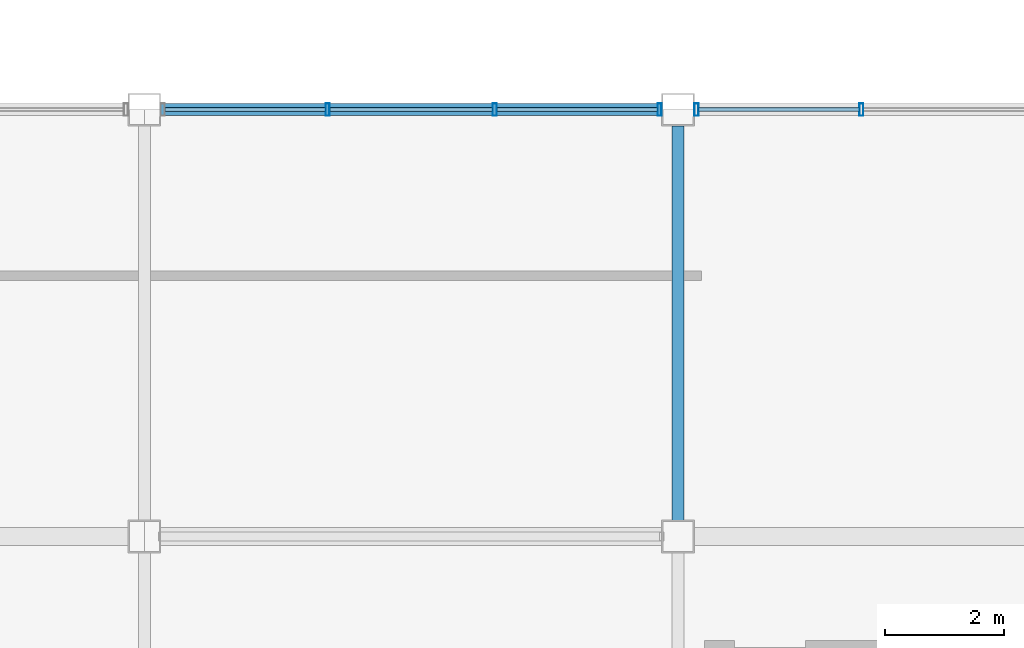
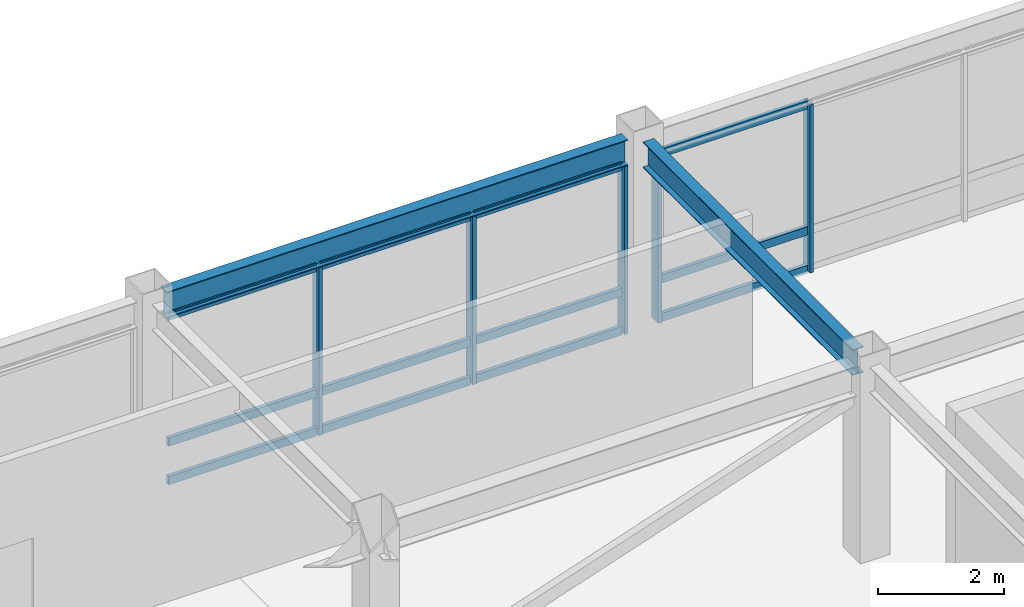
# One storey, part 41 of 122: 17 members, 2 beams, 2 elements without a shape of their own.
"""IFC4 building model written with IfcOpenShell, lengths in metres."""

from ifc_helpers import new_model, si_unit, direction, frame, origin, origin_2d, place, context, subcontext, project, spatial, hollow_rectangle, i_section, extrude, material, material_profile, profile_set, type_object, element, aggregate, save


model = new_model("IFC4")

# Units and contexts
model_context = context("Model", 3, precision=1e-05, world=origin(), true_north=direction((0.0, 1.0)))
body_context = subcontext(model_context, "Body", "Model", "MODEL_VIEW")
ifc_project = project(units=[si_unit("LENGTHUNIT", "METRE"), si_unit("AREAUNIT", "SQUARE_METRE"), si_unit("VOLUMEUNIT", "CUBIC_METRE"), si_unit("PLANEANGLEUNIT", "RADIAN"), si_unit("MASSUNIT", "GRAM", prefix="KILO")], contexts=[model_context])

# Site, building, storey
site_placement = place(None, origin())
site = spatial("IfcSite", under=ifc_project, at=site_placement, CompositionType="ELEMENT")
building_placement = place(site_placement, origin())
building = spatial("IfcBuilding", under=site, at=building_placement, Name="Kazanami Central Library", CompositionType="ELEMENT")
storey_placement = place(building_placement, frame((0.0, 0.0, 4.800048828125)))
storey = spatial("IfcBuildingStorey", under=building, at=storey_placement, Name="L02", CompositionType="ELEMENT", Elevation=4.800048828125)

# Beams
ifc_material_1 = material(Name="Steel SN490B (325 MPa)", Category="steel")
ifc_material_profile_1 = material_profile(ifc_material_1, i_section(OverallWidth=0.199951171875, OverallDepth=0.5, WebThickness=0.010009765625, FlangeThickness=0.01611328125, at=origin_2d()), Name="H-500x200x10x16")
ifc_profile_set_1 = profile_set([ifc_material_profile_1], Name="Steel SN490B (325 MPa)")
beam_type_1 = type_object("IfcBeamType", Name="BM-G-Y2", PredefinedType="BEAM", material=ifc_profile_set_1)
beam_1_placement = place(storey_placement, frame((72.0, 29.072998046875, 3.5048828125), z_axis=(0.0, 1.0, 0.0), x_axis=(-1.0, 0.0, 0.0)))
element("IfcBeam", 1, at=beam_1_placement, inside=storey, type_object=beam_type_1, Name="Girder G-Y2 L02 9/E-F", PredefinedType="BEAM", context=body_context, shape_type="SweptSolid", body=[
    extrude(i_section(OverallWidth=0.199951171875, OverallDepth=0.5, WebThickness=0.010009765625, FlangeThickness=0.01611328125, at=origin_2d()), origin(), (0.0, 0.0, 1.0), 6.654052734375),
])
ifc_material_profile_2 = material_profile(ifc_material_1, i_section(OverallWidth=0.199951171875, OverallDepth=0.5, WebThickness=0.010009765625, FlangeThickness=0.01611328125, at=origin_2d()), Name="H-500x200x10x16")
ifc_profile_set_2 = profile_set([ifc_material_profile_2], Name="Steel SN490B (325 MPa)")
beam_type_2 = type_object("IfcBeamType", Name="BM-SP-1", PredefinedType="SPANDREL", material=ifc_profile_set_2)
beam_2_placement = place(storey_placement, frame((63.27294921875, 36.0, 3.5048828125), z_axis=(1.0, 0.0, 0.0), x_axis=(0.0, 1.0, 0.0)))
element("IfcBeam", 2, at=beam_2_placement, inside=storey, type_object=beam_type_2, Name="Girder SP-1 L02 F/8-9", PredefinedType="SPANDREL", context=body_context, shape_type="SweptSolid", body=[
    extrude(i_section(OverallWidth=0.199951171875, OverallDepth=0.5, WebThickness=0.010009765625, FlangeThickness=0.01611328125, at=origin_2d()), origin(), (0.0, 0.0, 1.0), 8.4541015625),
])

# Curtain wall, members
ifc_material_2 = material(Name="Acid-Etched Low-E Laminated Glass", Category="glass")
curtain_wall_type = type_object("IfcCurtainWallType", Name="CW-8450x3255-M275", PredefinedType="USERDEFINED", material=ifc_material_2)
curtain_wall_1_placement = place(storey_placement, origin())
curtain_wall_1 = element("IfcCurtainWall", 3, at=curtain_wall_1_placement, inside=storey, type_object=curtain_wall_type, Name="Unitised Curtain Wall CW-13 L02 N-F-07", ObjectType="UNITISED CURTAIN WALL", PredefinedType="USERDEFINED")
ifc_material_3 = material(Name="Anodised Aluminium A6063-T5", Category="aluminium")
ifc_material_profile_3 = material_profile(ifc_material_3, hollow_rectangle(XDim=0.070068359375, YDim=0.2099609375, WallThickness=0.0048828125, at=origin_2d()), Name="ALU-MULL-70x210x5")
ifc_profile_set_3 = profile_set([ifc_material_profile_3], Name="Anodised Aluminium A6063-T5")
member_type_1 = type_object("IfcMemberType", Name="MEM-CW-M1", PredefinedType="MULLION", material=ifc_profile_set_3)
member_1_placement = place(storey_placement, frame((71.68994140625, 36.0, 0.0), z_axis=(0.0, 0.0, 1.0), x_axis=(-1.0, 0.0, 0.0)))
member_1 = element("IfcMember", 4, at=member_1_placement, type_object=member_type_1, Name="CW-13 mullion 1", PredefinedType="MULLION", context=body_context, shape_type="SweptSolid", body=[
    extrude(hollow_rectangle(XDim=0.070068359375, YDim=0.2099609375, WallThickness=0.0048828125, at=origin_2d()), origin(), (0.0, 0.0, 1.0), 3.2548828125),
])
member_2_placement = place(storey_placement, frame((68.908447265625, 36.0, 0.0), z_axis=(0.0, 0.0, 1.0), x_axis=(-1.0, 0.0, 0.0)))
member_2 = element("IfcMember", 5, at=member_2_placement, type_object=member_type_1, Name="CW-13 mullion 2", PredefinedType="MULLION", context=body_context, shape_type="SweptSolid", body=[
    extrude(hollow_rectangle(XDim=0.070068359375, YDim=0.2099609375, WallThickness=0.0048828125, at=origin_2d()), origin(), (0.0, 0.0, 1.0), 3.2548828125),
])
member_3_placement = place(storey_placement, frame((66.091552734375, 36.0, 0.0), z_axis=(0.0, 0.0, 1.0), x_axis=(-1.0, 0.0, 0.0)))
member_3 = element("IfcMember", 6, at=member_3_placement, type_object=member_type_1, Name="CW-13 mullion 3", PredefinedType="MULLION", context=body_context, shape_type="SweptSolid", body=[
    extrude(hollow_rectangle(XDim=0.070068359375, YDim=0.2099609375, WallThickness=0.0048828125, at=origin_2d()), origin(), (0.0, 0.0, 1.0), 3.2548828125),
])

curtain_wall_2_placement = place(storey_placement, origin())
curtain_wall_2 = element("IfcCurtainWall", 7, at=curtain_wall_2_placement, inside=storey, type_object=curtain_wall_type, Name="Unitised Curtain Wall CW-13 L02 N-F-08", ObjectType="UNITISED CURTAIN WALL", PredefinedType="USERDEFINED")
member_4_placement = place(storey_placement, frame((75.091552734375, 36.0, 0.0), z_axis=(0.0, 0.0, 1.0), x_axis=(-1.0, 0.0, 0.0)))
member_4 = element("IfcMember", 8, at=member_4_placement, type_object=member_type_1, Name="CW-13 mullion 3", PredefinedType="MULLION", context=body_context, shape_type="SweptSolid", body=[
    extrude(hollow_rectangle(XDim=0.070068359375, YDim=0.2099609375, WallThickness=0.0048828125, at=origin_2d()), origin(), (0.0, 0.0, 1.0), 3.2548828125),
])
member_5_placement = place(storey_placement, frame((72.31005859375, 36.0, 0.0), z_axis=(0.0, 0.0, 1.0), x_axis=(-1.0, 0.0, 0.0)))
member_5 = element("IfcMember", 9, at=member_5_placement, type_object=member_type_1, Name="CW-13 mullion 4", PredefinedType="MULLION", context=body_context, shape_type="SweptSolid", body=[
    extrude(hollow_rectangle(XDim=0.070068359375, YDim=0.2099609375, WallThickness=0.0048828125, at=origin_2d()), origin(), (0.0, 0.0, 1.0), 3.2548828125),
])

# Member
ifc_material_profile_4 = material_profile(ifc_material_3, hollow_rectangle(XDim=0.070068359375, YDim=0.159912109375, WallThickness=0.00390625, at=origin_2d()), Name="ALU-TRAN-70x160x4")
ifc_profile_set_4 = profile_set([ifc_material_profile_4], Name="Anodised Aluminium A6063-T5")
member_type_2 = type_object("IfcMemberType", Name="MEM-CW-T1", PredefinedType="USERDEFINED", material=ifc_profile_set_4)
member_6_placement = place(storey_placement, frame((71.655029296875, 36.0, 0.034912109375), z_axis=(-1.0, 0.0, 0.0), x_axis=(0.0, -1.0, 0.0)))
member_6 = element("IfcMember", 10, at=member_6_placement, type_object=member_type_2, Name="CW-13 transom 1.1", ObjectType="TRANSOM", PredefinedType="USERDEFINED", context=body_context, shape_type="SweptSolid", body=[
    extrude(hollow_rectangle(XDim=0.070068359375, YDim=0.159912109375, WallThickness=0.00390625, at=origin_2d()), origin(), (0.0, 0.0, 1.0), 2.711669921875),
])

member_7_placement = place(storey_placement, frame((71.655029296875, 36.0, 0.780029296875), z_axis=(-1.0, 0.0, 0.0), x_axis=(0.0, -1.0, 0.0)))
member_7 = element("IfcMember", 11, at=member_7_placement, type_object=member_type_2, Name="CW-13 transom 1.2", ObjectType="TRANSOM", PredefinedType="USERDEFINED", context=body_context, shape_type="SweptSolid", body=[
    extrude(hollow_rectangle(XDim=0.070068359375, YDim=0.159912109375, WallThickness=0.00390625, at=origin_2d()), origin(), (0.0, 0.0, 1.0), 2.711669921875),
])

member_8_placement = place(storey_placement, frame((71.655029296875, 36.0, 3.219970703125), z_axis=(-1.0, 0.0, 0.0), x_axis=(0.0, -1.0, 0.0)))
member_8 = element("IfcMember", 12, at=member_8_placement, type_object=member_type_2, Name="CW-13 transom 1.3", ObjectType="TRANSOM", PredefinedType="USERDEFINED", context=body_context, shape_type="SweptSolid", body=[
    extrude(hollow_rectangle(XDim=0.070068359375, YDim=0.159912109375, WallThickness=0.00390625, at=origin_2d()), origin(), (0.0, 0.0, 1.0), 2.711669921875),
])

member_9_placement = place(storey_placement, frame((68.873291015625, 36.0, 0.034912109375), z_axis=(-1.0, 0.0, 0.0), x_axis=(0.0, -1.0, 0.0)))
member_9 = element("IfcMember", 13, at=member_9_placement, type_object=member_type_2, Name="CW-13 transom 2.1", ObjectType="TRANSOM", PredefinedType="USERDEFINED", context=body_context, shape_type="SweptSolid", body=[
    extrude(hollow_rectangle(XDim=0.070068359375, YDim=0.159912109375, WallThickness=0.00390625, at=origin_2d()), origin(), (0.0, 0.0, 1.0), 2.74658203125),
])

member_10_placement = place(storey_placement, frame((68.873291015625, 36.0, 0.780029296875), z_axis=(-1.0, 0.0, 0.0), x_axis=(0.0, -1.0, 0.0)))
member_10 = element("IfcMember", 14, at=member_10_placement, type_object=member_type_2, Name="CW-13 transom 2.2", ObjectType="TRANSOM", PredefinedType="USERDEFINED", context=body_context, shape_type="SweptSolid", body=[
    extrude(hollow_rectangle(XDim=0.070068359375, YDim=0.159912109375, WallThickness=0.00390625, at=origin_2d()), origin(), (0.0, 0.0, 1.0), 2.74658203125),
])

member_11_placement = place(storey_placement, frame((68.873291015625, 36.0, 3.219970703125), z_axis=(-1.0, 0.0, 0.0), x_axis=(0.0, -1.0, 0.0)))
member_11 = element("IfcMember", 15, at=member_11_placement, type_object=member_type_2, Name="CW-13 transom 2.3", ObjectType="TRANSOM", PredefinedType="USERDEFINED", context=body_context, shape_type="SweptSolid", body=[
    extrude(hollow_rectangle(XDim=0.070068359375, YDim=0.159912109375, WallThickness=0.00390625, at=origin_2d()), origin(), (0.0, 0.0, 1.0), 2.74658203125),
])

member_12_placement = place(storey_placement, frame((66.056640625, 36.0, 0.034912109375), z_axis=(-1.0, 0.0, 0.0), x_axis=(0.0, -1.0, 0.0)))
member_12 = element("IfcMember", 16, at=member_12_placement, type_object=member_type_2, Name="CW-13 transom 3.1", ObjectType="TRANSOM", PredefinedType="USERDEFINED", context=body_context, shape_type="SweptSolid", body=[
    extrude(hollow_rectangle(XDim=0.070068359375, YDim=0.159912109375, WallThickness=0.00390625, at=origin_2d()), origin(), (0.0, 0.0, 1.0), 2.711669921875),
])

member_13_placement = place(storey_placement, frame((66.056640625, 36.0, 0.780029296875), z_axis=(-1.0, 0.0, 0.0), x_axis=(0.0, -1.0, 0.0)))
member_13 = element("IfcMember", 17, at=member_13_placement, type_object=member_type_2, Name="CW-13 transom 3.2", ObjectType="TRANSOM", PredefinedType="USERDEFINED", context=body_context, shape_type="SweptSolid", body=[
    extrude(hollow_rectangle(XDim=0.070068359375, YDim=0.159912109375, WallThickness=0.00390625, at=origin_2d()), origin(), (0.0, 0.0, 1.0), 2.711669921875),
])

member_14_placement = place(storey_placement, frame((66.056640625, 36.0, 3.219970703125), z_axis=(-1.0, 0.0, 0.0), x_axis=(0.0, -1.0, 0.0)))
member_14 = element("IfcMember", 18, at=member_14_placement, type_object=member_type_2, Name="CW-13 transom 3.3", ObjectType="TRANSOM", PredefinedType="USERDEFINED", context=body_context, shape_type="SweptSolid", body=[
    extrude(hollow_rectangle(XDim=0.070068359375, YDim=0.159912109375, WallThickness=0.00390625, at=origin_2d()), origin(), (0.0, 0.0, 1.0), 2.711669921875),
])

aggregate(curtain_wall_1, [member_1, member_2, member_3, member_6, member_7, member_8, member_9, member_10, member_11, member_12, member_13, member_14])

member_15_placement = place(storey_placement, frame((75.056640625, 36.0, 0.034912109375), z_axis=(-1.0, 0.0, 0.0), x_axis=(0.0, -1.0, 0.0)))
member_15 = element("IfcMember", 19, at=member_15_placement, type_object=member_type_2, Name="CW-13 transom 3.1", ObjectType="TRANSOM", PredefinedType="USERDEFINED", context=body_context, shape_type="SweptSolid", body=[
    extrude(hollow_rectangle(XDim=0.070068359375, YDim=0.159912109375, WallThickness=0.00390625, at=origin_2d()), origin(), (0.0, 0.0, 1.0), 2.711669921875),
])

member_16_placement = place(storey_placement, frame((75.056640625, 36.0, 0.780029296875), z_axis=(-1.0, 0.0, 0.0), x_axis=(0.0, -1.0, 0.0)))
member_16 = element("IfcMember", 20, at=member_16_placement, type_object=member_type_2, Name="CW-13 transom 3.2", ObjectType="TRANSOM", PredefinedType="USERDEFINED", context=body_context, shape_type="SweptSolid", body=[
    extrude(hollow_rectangle(XDim=0.070068359375, YDim=0.159912109375, WallThickness=0.00390625, at=origin_2d()), origin(), (0.0, 0.0, 1.0), 2.711669921875),
])

member_17_placement = place(storey_placement, frame((75.056640625, 36.0, 3.219970703125), z_axis=(-1.0, 0.0, 0.0), x_axis=(0.0, -1.0, 0.0)))
member_17 = element("IfcMember", 21, at=member_17_placement, type_object=member_type_2, Name="CW-13 transom 3.3", ObjectType="TRANSOM", PredefinedType="USERDEFINED", context=body_context, shape_type="SweptSolid", body=[
    extrude(hollow_rectangle(XDim=0.070068359375, YDim=0.159912109375, WallThickness=0.00390625, at=origin_2d()), origin(), (0.0, 0.0, 1.0), 2.711669921875),
])

aggregate(curtain_wall_2, [member_4, member_5, member_15, member_16, member_17])

save(model, "model.ifc")
